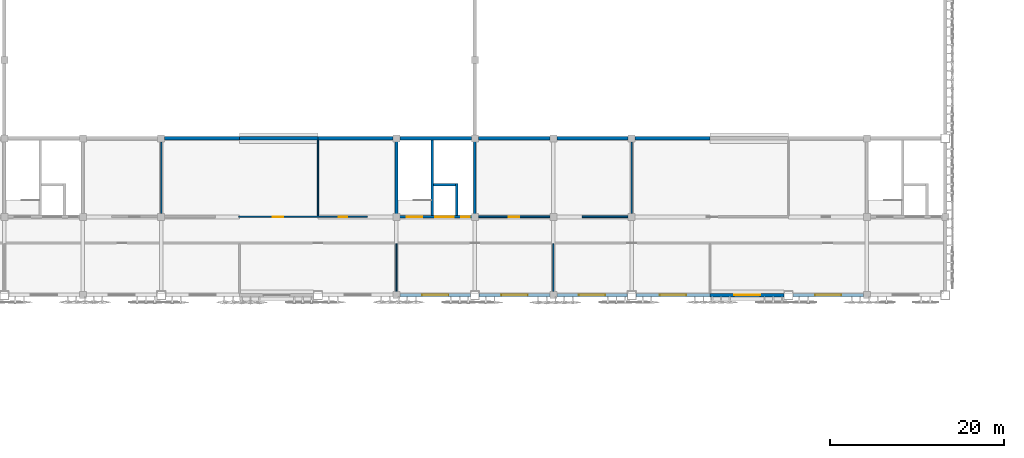
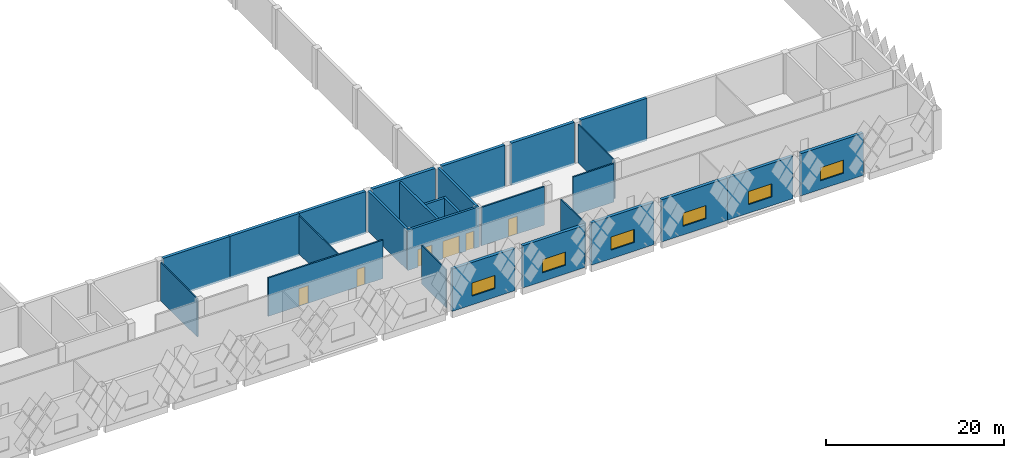
# One storey, part 115 of 185: 27 walls, 6 doors, 6 windows, 12 openings.
"""IFC4 building model written with IfcOpenShell, lengths in metres."""

from ifc_helpers import new_model, si_unit, direction, frame, frame_2d, origin, place, context, subcontext, project, spatial, rectangle, extrude, material, layer, layer_set, type_object, element, fill, save


model = new_model("IFC4")

# Units and contexts
model_context = context("Model", 3, precision=1e-05, world=origin(), true_north=direction((0.0, 1.0)))
body_context = subcontext(model_context, "Body", "Model", "MODEL_VIEW")
ifc_project = project(units=[si_unit("LENGTHUNIT", "METRE"), si_unit("AREAUNIT", "SQUARE_METRE"), si_unit("VOLUMEUNIT", "CUBIC_METRE"), si_unit("PLANEANGLEUNIT", "RADIAN"), si_unit("MASSUNIT", "GRAM", prefix="KILO")], contexts=[model_context])

# Site, building, storey
site_placement = place(None, origin())
site = spatial("IfcSite", under=ifc_project, at=site_placement, CompositionType="ELEMENT")
building_placement = place(site_placement, origin())
building = spatial("IfcBuilding", under=site, at=building_placement, Name="Opaline Strait Convention Centre", CompositionType="ELEMENT")
storey_placement = place(building_placement, frame((0.0, 0.0, 6.0)))
storey = spatial("IfcBuildingStorey", under=building, at=storey_placement, Name="L01", CompositionType="ELEMENT", Elevation=6.0)

# Wall, opening, window
ifc_material_1 = material(Name="Concrete C40", Category="concrete")
ifc_layer_1 = layer(ifc_material_1, 0.25)
ifc_material_2 = material(Name="Mineral wool insulation")
ifc_layer_2 = layer(ifc_material_2, 0.10009765625)
ifc_material_3 = material(Name="Gypsum board lining")
ifc_layer_3 = layer(ifc_material_3, 0.050048828125)
ifc_layer_set_1 = layer_set([ifc_layer_1, ifc_layer_2, ifc_layer_3], Name="Concrete C40, Mineral wool insulation, Gypsum board lining")
wall_type_1 = type_object("IfcWallType", Name="External wall RC 400 insulated", PredefinedType="SOLIDWALL", material=ifc_layer_set_1)
wall_1_placement = place(storey_placement, frame((198.39990234375, 54.0, -0.280029296875), z_axis=(0.0, 0.0, 1.0), x_axis=(1.0, 0.0, 0.0)))
wall_1 = element("IfcWall", 1, at=wall_1_placement, inside=storey, type_object=wall_type_1, Name="External wall S12", PredefinedType="SOLIDWALL", context=body_context, shape_type="SweptSolid", body=[
    extrude(rectangle(XDim=8.10009765625, YDim=0.39990234375, at=frame_2d((4.050048828125, 0.0))), origin(), (0.0, 0.0, 1.0), 5.780029296875),
])
opening_1_placement = place(wall_1_placement, frame((2.550048828125, 0.0, 1.179931640625)))
opening_1 = element("IfcOpeningElement", 2, at=opening_1_placement, cuts=wall_1, Name="Opening XWN2", PredefinedType="OPENING", context=body_context, shape_type="SweptSolid", body=[
    extrude(rectangle(XDim=3.0, YDim=1.800048828125, at=frame_2d((1.5, 0.89990234375))), frame((0.0, 0.2099609375, 0.0), z_axis=(0.0, -1.0, 0.0), x_axis=(1.0, 0.0, 0.0)), (0.0, 0.0, 1.0), 0.419921875),
])
ifc_material_4 = material(Name="Double glazed unit low emissivity", Category="glass")
window_type = type_object("IfcWindowType", Name="Strip window 3000 x 1800", PartitioningType="TRIPLE_PANEL_VERTICAL", PredefinedType="WINDOW", material=ifc_material_4)
window_1_placement = place(opening_1_placement, origin())
window_1 = element("IfcWindow", 3, at=window_1_placement, inside=storey, type_object=window_type, Name="Strip window 12", OverallHeight=1.800048828125, OverallWidth=3.0, PartitioningType="TRIPLE_PANEL_VERTICAL", PredefinedType="WINDOW", context=body_context, shape_type="SweptSolid", body=[
    extrude(rectangle(XDim=3.0, YDim=1.800048828125, at=frame_2d((1.5, 0.89990234375))), frame((0.0, 0.030029296875, 0.0), z_axis=(0.0, -1.0, 0.0), x_axis=(1.0, 0.0, 0.0)), (0.0, 0.0, 1.0), 0.06005859375),
])
fill(opening_1, window_1)

wall_2_placement = place(storey_placement, frame((207.5, 54.0, -0.280029296875), z_axis=(0.0, 0.0, 1.0), x_axis=(1.0, 0.0, 0.0)))
wall_2 = element("IfcWall", 4, at=wall_2_placement, inside=storey, type_object=wall_type_1, Name="External wall S13", PredefinedType="SOLIDWALL", context=body_context, shape_type="SweptSolid", body=[
    extrude(rectangle(XDim=8.10009765625, YDim=0.39990234375, at=frame_2d((4.050048828125, 0.0))), origin(), (0.0, 0.0, 1.0), 5.780029296875),
])
opening_2_placement = place(wall_2_placement, frame((2.550048828125, 0.0, 1.179931640625)))
opening_2 = element("IfcOpeningElement", 5, at=opening_2_placement, cuts=wall_2, Name="Opening XWN2", PredefinedType="OPENING", context=body_context, shape_type="SweptSolid", body=[
    extrude(rectangle(XDim=3.0, YDim=1.800048828125, at=frame_2d((1.5, 0.89990234375))), frame((0.0, 0.2099609375, 0.0), z_axis=(0.0, -1.0, 0.0), x_axis=(1.0, 0.0, 0.0)), (0.0, 0.0, 1.0), 0.419921875),
])
window_2_placement = place(opening_2_placement, origin())
window_2 = element("IfcWindow", 6, at=window_2_placement, inside=storey, type_object=window_type, Name="Strip window 13", OverallHeight=1.800048828125, OverallWidth=3.0, PartitioningType="TRIPLE_PANEL_VERTICAL", PredefinedType="WINDOW", context=body_context, shape_type="SweptSolid", body=[
    extrude(rectangle(XDim=3.0, YDim=1.800048828125, at=frame_2d((1.5, 0.89990234375))), frame((0.0, 0.030029296875, 0.0), z_axis=(0.0, -1.0, 0.0), x_axis=(1.0, 0.0, 0.0)), (0.0, 0.0, 1.0), 0.06005859375),
])
fill(opening_2, window_2)

wall_3_placement = place(storey_placement, frame((216.39990234375, 54.0, -0.280029296875), z_axis=(0.0, 0.0, 1.0), x_axis=(1.0, 0.0, 0.0)))
wall_3 = element("IfcWall", 7, at=wall_3_placement, inside=storey, type_object=wall_type_1, Name="External wall S14", PredefinedType="SOLIDWALL", context=body_context, shape_type="SweptSolid", body=[
    extrude(rectangle(XDim=8.10009765625, YDim=0.39990234375, at=frame_2d((4.050048828125, 0.0))), origin(), (0.0, 0.0, 1.0), 5.780029296875),
])
opening_3_placement = place(wall_3_placement, frame((2.550048828125, 0.0, 1.179931640625)))
opening_3 = element("IfcOpeningElement", 8, at=opening_3_placement, cuts=wall_3, Name="Opening XWN2", PredefinedType="OPENING", context=body_context, shape_type="SweptSolid", body=[
    extrude(rectangle(XDim=3.0, YDim=1.800048828125, at=frame_2d((1.5, 0.89990234375))), frame((0.0, 0.2099609375, 0.0), z_axis=(0.0, -1.0, 0.0), x_axis=(1.0, 0.0, 0.0)), (0.0, 0.0, 1.0), 0.419921875),
])
window_3_placement = place(opening_3_placement, origin())
window_3 = element("IfcWindow", 9, at=window_3_placement, inside=storey, type_object=window_type, Name="Strip window 14", OverallHeight=1.800048828125, OverallWidth=3.0, PartitioningType="TRIPLE_PANEL_VERTICAL", PredefinedType="WINDOW", context=body_context, shape_type="SweptSolid", body=[
    extrude(rectangle(XDim=3.0, YDim=1.800048828125, at=frame_2d((1.5, 0.89990234375))), frame((0.0, 0.030029296875, 0.0), z_axis=(0.0, -1.0, 0.0), x_axis=(1.0, 0.0, 0.0)), (0.0, 0.0, 1.0), 0.06005859375),
])
fill(opening_3, window_3)

wall_4_placement = place(storey_placement, frame((225.5, 54.0, -0.280029296875), z_axis=(0.0, 0.0, 1.0), x_axis=(1.0, 0.0, 0.0)))
wall_4 = element("IfcWall", 10, at=wall_4_placement, inside=storey, type_object=wall_type_1, Name="External wall S15", PredefinedType="SOLIDWALL", context=body_context, shape_type="SweptSolid", body=[
    extrude(rectangle(XDim=8.5, YDim=0.39990234375, at=frame_2d((4.25, 0.0))), origin(), (0.0, 0.0, 1.0), 5.780029296875),
])
opening_4_placement = place(wall_4_placement, frame((2.75, 0.0, 1.179931640625)))
opening_4 = element("IfcOpeningElement", 11, at=opening_4_placement, cuts=wall_4, Name="Opening XWN2", PredefinedType="OPENING", context=body_context, shape_type="SweptSolid", body=[
    extrude(rectangle(XDim=3.0, YDim=1.800048828125, at=frame_2d((1.5, 0.89990234375))), frame((0.0, 0.2099609375, 0.0), z_axis=(0.0, -1.0, 0.0), x_axis=(1.0, 0.0, 0.0)), (0.0, 0.0, 1.0), 0.419921875),
])
window_4_placement = place(opening_4_placement, origin())
window_4 = element("IfcWindow", 12, at=window_4_placement, inside=storey, type_object=window_type, Name="Strip window 15", OverallHeight=1.800048828125, OverallWidth=3.0, PartitioningType="TRIPLE_PANEL_VERTICAL", PredefinedType="WINDOW", context=body_context, shape_type="SweptSolid", body=[
    extrude(rectangle(XDim=3.0, YDim=1.800048828125, at=frame_2d((1.5, 0.89990234375))), frame((0.0, 0.030029296875, 0.0), z_axis=(0.0, -1.0, 0.0), x_axis=(1.0, 0.0, 0.0)), (0.0, 0.0, 1.0), 0.06005859375),
])
fill(opening_4, window_4)

wall_5_placement = place(storey_placement, frame((234.0, 54.0, -0.280029296875), z_axis=(0.0, 0.0, 1.0), x_axis=(1.0, 0.0, 0.0)))
wall_5 = element("IfcWall", 13, at=wall_5_placement, inside=storey, type_object=wall_type_1, Name="External wall S16", PredefinedType="SOLIDWALL", context=body_context, shape_type="SweptSolid", body=[
    extrude(rectangle(XDim=8.5, YDim=0.39990234375, at=frame_2d((4.25, 0.0))), origin(), (0.0, 0.0, 1.0), 5.780029296875),
])
opening_5_placement = place(wall_5_placement, frame((2.75, 0.0, 1.179931640625)))
opening_5 = element("IfcOpeningElement", 14, at=opening_5_placement, cuts=wall_5, Name="Opening XWN2", PredefinedType="OPENING", context=body_context, shape_type="SweptSolid", body=[
    extrude(rectangle(XDim=3.0, YDim=1.800048828125, at=frame_2d((1.5, 0.89990234375))), frame((0.0, 0.2099609375, 0.0), z_axis=(0.0, -1.0, 0.0), x_axis=(1.0, 0.0, 0.0)), (0.0, 0.0, 1.0), 0.419921875),
])
window_5_placement = place(opening_5_placement, origin())
window_5 = element("IfcWindow", 15, at=window_5_placement, inside=storey, type_object=window_type, Name="Strip window 16", OverallHeight=1.800048828125, OverallWidth=3.0, PartitioningType="TRIPLE_PANEL_VERTICAL", PredefinedType="WINDOW", context=body_context, shape_type="SweptSolid", body=[
    extrude(rectangle(XDim=3.0, YDim=1.800048828125, at=frame_2d((1.5, 0.89990234375))), frame((0.0, 0.030029296875, 0.0), z_axis=(0.0, -1.0, 0.0), x_axis=(1.0, 0.0, 0.0)), (0.0, 0.0, 1.0), 0.06005859375),
])
fill(opening_5, window_5)

wall_6_placement = place(storey_placement, frame((243.5, 54.0, -0.280029296875), z_axis=(0.0, 0.0, 1.0), x_axis=(1.0, 0.0, 0.0)))
wall_6 = element("IfcWall", 16, at=wall_6_placement, inside=storey, type_object=wall_type_1, Name="External wall S17", PredefinedType="SOLIDWALL", context=body_context, shape_type="SweptSolid", body=[
    extrude(rectangle(XDim=8.10009765625, YDim=0.39990234375, at=frame_2d((4.050048828125, 0.0))), origin(), (0.0, 0.0, 1.0), 5.780029296875),
])
opening_6_placement = place(wall_6_placement, frame((2.550048828125, 0.0, 1.179931640625)))
opening_6 = element("IfcOpeningElement", 17, at=opening_6_placement, cuts=wall_6, Name="Opening XWN2", PredefinedType="OPENING", context=body_context, shape_type="SweptSolid", body=[
    extrude(rectangle(XDim=3.0, YDim=1.800048828125, at=frame_2d((1.5, 0.89990234375))), frame((0.0, 0.2099609375, 0.0), z_axis=(0.0, -1.0, 0.0), x_axis=(1.0, 0.0, 0.0)), (0.0, 0.0, 1.0), 0.419921875),
])
window_6_placement = place(opening_6_placement, origin())
window_6 = element("IfcWindow", 18, at=window_6_placement, inside=storey, type_object=window_type, Name="Strip window 17", OverallHeight=1.800048828125, OverallWidth=3.0, PartitioningType="TRIPLE_PANEL_VERTICAL", PredefinedType="WINDOW", context=body_context, shape_type="SweptSolid", body=[
    extrude(rectangle(XDim=3.0, YDim=1.800048828125, at=frame_2d((1.5, 0.89990234375))), frame((0.0, 0.030029296875, 0.0), z_axis=(0.0, -1.0, 0.0), x_axis=(1.0, 0.0, 0.0)), (0.0, 0.0, 1.0), 0.06005859375),
])
fill(opening_6, window_6)

# Walls
ifc_layer_4 = layer(ifc_material_1, 0.300048828125)
ifc_material_5 = material(Name="Cement plaster")
ifc_layer_5 = layer(ifc_material_5, 0.050048828125)
ifc_layer_6 = layer(ifc_material_5, 0.050048828125)
ifc_layer_set_2 = layer_set([ifc_layer_4, ifc_layer_5, ifc_layer_6], Name="Concrete C40, Cement plaster, Cement plaster")
wall_type_2 = type_object("IfcWallType", Name="Hall compartment wall 400", PredefinedType="SOLIDWALL", material=ifc_layer_set_2)
wall_7_placement = place(storey_placement, frame((171.39990234375, 72.0, -0.280029296875), z_axis=(0.0, 0.0, 1.0), x_axis=(1.0, 0.0, 0.0)))
element("IfcWall", 19, at=wall_7_placement, inside=storey, type_object=wall_type_2, Name="Hall south wall", PredefinedType="SOLIDWALL", context=body_context, shape_type="SweptSolid", body=[
    extrude(rectangle(XDim=8.60009765625, YDim=0.39990234375, at=frame_2d((4.300048828125, 0.0))), origin(), (0.0, 0.0, 1.0), 5.780029296875),
])
wall_8_placement = place(storey_placement, frame((180.0, 72.0, -0.280029296875), z_axis=(0.0, 0.0, 1.0), x_axis=(1.0, 0.0, 0.0)))
element("IfcWall", 20, at=wall_8_placement, inside=storey, type_object=wall_type_2, Name="Hall south wall", PredefinedType="SOLIDWALL", context=body_context, shape_type="SweptSolid", body=[
    extrude(rectangle(XDim=9.0, YDim=0.39990234375, at=frame_2d((4.5, 0.0))), origin(), (0.0, 0.0, 1.0), 5.780029296875),
])
wall_9_placement = place(storey_placement, frame((189.0, 72.0, -0.280029296875), z_axis=(0.0, 0.0, 1.0), x_axis=(1.0, 0.0, 0.0)))
element("IfcWall", 21, at=wall_9_placement, inside=storey, type_object=wall_type_2, Name="Hall south wall", PredefinedType="SOLIDWALL", context=body_context, shape_type="SweptSolid", body=[
    extrude(rectangle(XDim=8.60009765625, YDim=0.39990234375, at=frame_2d((4.300048828125, 0.0))), origin(), (0.0, 0.0, 1.0), 5.780029296875),
])
for number, where, z_axis, x_axis, name in (
    (22, (198.39990234375, 72.0, -0.280029296875), (0.0, 0.0, 1.0), (1.0, 0.0, 0.0), "Hall south wall"),
    (23, (207.39990234375, 72.0, -0.280029296875), (0.0, 0.0, 1.0), (1.0, 0.0, 0.0), "Hall south wall"),
    (24, (216.39990234375, 72.0, -0.280029296875), (0.0, 0.0, 1.0), (1.0, 0.0, 0.0), "Hall south wall"),
):
    element("IfcWall", number, at=place(storey_placement, frame(where, z_axis=z_axis, x_axis=x_axis)), inside=storey, type_object=wall_type_2, Name=name, PredefinedType="SOLIDWALL", context=body_context, shape_type="SweptSolid", body=[
        extrude(rectangle(XDim=8.2001953125, YDim=0.39990234375, at=frame_2d((4.10009765625, 0.0))), origin(), (0.0, 0.0, 1.0), 5.780029296875),
    ])
wall_10_placement = place(storey_placement, frame((225.39990234375, 72.0, -0.280029296875), z_axis=(0.0, 0.0, 1.0), x_axis=(1.0, 0.0, 0.0)))
element("IfcWall", 25, at=wall_10_placement, inside=storey, type_object=wall_type_2, Name="Hall south wall", PredefinedType="SOLIDWALL", context=body_context, shape_type="SweptSolid", body=[
    extrude(rectangle(XDim=8.60009765625, YDim=0.39990234375, at=frame_2d((4.300048828125, 0.0))), origin(), (0.0, 0.0, 1.0), 5.780029296875),
])
ifc_layer_7 = layer(ifc_material_1, 0.300048828125)
ifc_layer_set_3 = layer_set([ifc_layer_7], Name="Concrete C40")
wall_type_3 = type_object("IfcWallType", Name="Lift shaft wall RC 300 C40", PredefinedType="SHEAR", material=ifc_layer_set_3)
wall_11_placement = place(storey_placement, frame((202.10009765625, 63.14990234375, 0.0), z_axis=(0.0, 0.0, 1.0), x_axis=(0.0, 1.0, 0.0)))
element("IfcWall", 26, at=wall_11_placement, inside=storey, type_object=wall_type_3, Name="EXB-LS-3-W1-L01", PredefinedType="SHEAR", context=body_context, shape_type="SweptSolid", body=[
    extrude(rectangle(XDim=8.650146484375, YDim=0.300048828125, at=frame_2d((4.3251953125, 0.0))), origin(), (0.0, 0.0, 1.0), 5.25),
])
wall_12_placement = place(storey_placement, frame((204.89990234375, 63.14990234375, 0.0), z_axis=(0.0, 0.0, 1.0), x_axis=(0.0, 1.0, 0.0)))
element("IfcWall", 27, at=wall_12_placement, inside=storey, type_object=wall_type_3, Name="EXB-LS-3-W2-L01", PredefinedType="SHEAR", context=body_context, shape_type="SweptSolid", body=[
    extrude(rectangle(XDim=3.7001953125, YDim=0.300048828125, at=frame_2d((1.85009765625, 0.0))), origin(), (0.0, 0.0, 1.0), 5.25),
])
wall_13_placement = place(storey_placement, frame((202.25, 66.699951171875, 0.0), z_axis=(0.0, 0.0, 1.0), x_axis=(1.0, 0.0, 0.0)))
element("IfcWall", 28, at=wall_13_placement, inside=storey, type_object=wall_type_3, Name="EXB-LS-3-N-L01", PredefinedType="SHEAR", context=body_context, shape_type="SweptSolid", body=[
    extrude(rectangle(XDim=2.5, YDim=0.300048828125, at=frame_2d((1.25, 0.0))), origin(), (0.0, 0.0, 1.0), 5.25),
])
ifc_material_6 = material(Name="Lightweight blockwork", Category="masonry")
ifc_layer_8 = layer(ifc_material_6, 0.14990234375)
ifc_layer_set_4 = layer_set([ifc_layer_8], Name="Lightweight blockwork")
wall_type_4 = type_object("IfcWallType", Name="Partition EI 45 blockwork 150", PredefinedType="PARTITIONING", material=ifc_layer_set_4)
for number, where, z_axis, x_axis, name in (
    (29, (198.0, 54.39990234375, 0.0), (0.0, 0.0, 1.0), (0.0, 1.0, 0.0), "Mezzanine room partition"),
    (30, (216.0, 54.39990234375, 0.0), (0.0, 0.0, 1.0), (0.0, 1.0, 0.0), "Mezzanine room partition"),
):
    element("IfcWall", number, at=place(storey_placement, frame(where, z_axis=z_axis, x_axis=x_axis)), inside=storey, type_object=wall_type_4, Name=name, PredefinedType="PARTITIONING", context=body_context, shape_type="SweptSolid", body=[
        extrude(rectangle(XDim=5.5, YDim=0.14990234375, at=frame_2d((2.75, 0.0))), origin(), (0.0, 0.0, 1.0), 5.25),
    ])
wall_14_placement = place(storey_placement, frame((171.0, 63.39990234375, 0.0), z_axis=(0.0, 0.0, 1.0), x_axis=(0.0, 1.0, 0.0)))
element("IfcWall", 31, at=wall_14_placement, inside=storey, type_object=wall_type_4, Name="Mezzanine back row partition", PredefinedType="PARTITIONING", context=body_context, shape_type="SweptSolid", body=[
    extrude(rectangle(XDim=8.2001953125, YDim=0.14990234375, at=frame_2d((4.10009765625, 0.0))), origin(), (0.0, 0.0, 1.0), 5.25),
])
wall_15_placement = place(storey_placement, frame((189.0, 63.10009765625, 0.0), z_axis=(0.0, 0.0, 1.0), x_axis=(0.0, 1.0, 0.0)))
element("IfcWall", 32, at=wall_15_placement, inside=storey, type_object=wall_type_4, Name="Mezzanine back row partition", PredefinedType="PARTITIONING", context=body_context, shape_type="SweptSolid", body=[
    extrude(rectangle(XDim=8.699951171875, YDim=0.14990234375, at=frame_2d((4.35009765625, 0.0))), origin(), (0.0, 0.0, 1.0), 5.25),
])
wall_16_placement = place(storey_placement, frame((225.0, 63.39990234375, 0.0), z_axis=(0.0, 0.0, 1.0), x_axis=(0.0, 1.0, 0.0)))
element("IfcWall", 33, at=wall_16_placement, inside=storey, type_object=wall_type_4, Name="Mezzanine back row partition", PredefinedType="PARTITIONING", context=body_context, shape_type="SweptSolid", body=[
    extrude(rectangle(XDim=8.2001953125, YDim=0.14990234375, at=frame_2d((4.10009765625, 0.0))), origin(), (0.0, 0.0, 1.0), 5.25),
])

# Wall, openings, doors
ifc_layer_9 = layer(ifc_material_6, 0.199951171875)
ifc_layer_set_5 = layer_set([ifc_layer_9], Name="Lightweight blockwork")
wall_type_5 = type_object("IfcWallType", Name="Partition EI 60 blockwork 200", PredefinedType="PARTITIONING", material=ifc_layer_set_5)
wall_17_placement = place(storey_placement, frame((179.85009765625, 63.0, 0.0), z_axis=(0.0, 0.0, 1.0), x_axis=(1.0, 0.0, 0.0)))
wall_17 = element("IfcWall", 34, at=wall_17_placement, inside=storey, type_object=wall_type_5, Name="Mezzanine corridor north wall", PredefinedType="PARTITIONING", context=body_context, shape_type="SweptSolid", body=[
    extrude(rectangle(XDim=14.849853515625, YDim=0.199951171875, at=frame_2d((7.4248046875, 0.0))), origin(), (0.0, 0.0, 1.0), 5.25),
])
opening_7_placement = place(wall_17_placement, frame((3.97509765625, 0.0, 0.014892578125)))
opening_7 = element("IfcOpeningElement", 35, at=opening_7_placement, cuts=wall_17, Name="Opening X1-024", PredefinedType="OPENING", context=body_context, shape_type="SweptSolid", body=[
    extrude(rectangle(XDim=1.199951171875, YDim=2.39990234375, at=frame_2d((0.60009765625, 1.199951171875))), frame((0.0, 0.10986328125, 0.0), z_axis=(0.0, -1.0, 0.0), x_axis=(1.0, 0.0, 0.0)), (0.0, 0.0, 1.0), 0.219970703125),
])
opening_8_placement = place(wall_17_placement, frame((11.5, 0.0, 0.014892578125)))
opening_8 = element("IfcOpeningElement", 36, at=opening_8_placement, cuts=wall_17, Name="Opening X1-025", PredefinedType="OPENING", context=body_context, shape_type="SweptSolid", body=[
    extrude(rectangle(XDim=1.0, YDim=2.39990234375, at=frame_2d((0.5, 1.199951171875))), frame((0.0, 0.10986328125, 0.0), z_axis=(0.0, -1.0, 0.0), x_axis=(1.0, 0.0, 0.0)), (0.0, 0.0, 1.0), 0.219970703125),
])
ifc_material_7 = material(Name="Steel Q235B", Category="steel")
door_type_1 = type_object("IfcDoorType", Name="Plant door FD60 1200 x 2400", OperationType="SINGLE_SWING_LEFT", PredefinedType="DOOR", material=ifc_material_7)
door_1_placement = place(opening_7_placement, origin())
door_1 = element("IfcDoor", 37, at=door_1_placement, inside=storey, type_object=door_type_1, Name="Hall Air-handling Plant 1.16 door", ObjectType="XD9", OperationType="SINGLE_SWING_LEFT", OverallHeight=2.39990234375, OverallWidth=1.199951171875, PredefinedType="DOOR", context=body_context, shape_type="SweptSolid", body=[
    extrude(rectangle(XDim=1.199951171875, YDim=2.39990234375, at=frame_2d((0.60009765625, 1.199951171875))), frame((0.0, 0.02490234375, 0.0), z_axis=(0.0, -1.0, 0.0), x_axis=(1.0, 0.0, 0.0)), (0.0, 0.0, 1.0), 0.050048828125),
])
fill(opening_7, door_1)
door_type_2 = type_object("IfcDoorType", Name="Single door FD30 1000 x 2400", OperationType="SINGLE_SWING_LEFT", PredefinedType="DOOR", material=ifc_material_7)
door_2_placement = place(opening_8_placement, origin())
door_2 = element("IfcDoor", 38, at=door_2_placement, inside=storey, type_object=door_type_2, Name="Store 1.17 door", ObjectType="XD8", OperationType="SINGLE_SWING_RIGHT", OverallHeight=2.39990234375, OverallWidth=1.0, PredefinedType="DOOR", context=body_context, shape_type="SweptSolid", body=[
    extrude(rectangle(XDim=1.0, YDim=2.39990234375, at=frame_2d((0.5, 1.199951171875))), frame((0.0, 0.02490234375, 0.0), z_axis=(0.0, -1.0, 0.0), x_axis=(1.0, 0.0, 0.0)), (0.0, 0.0, 1.0), 0.050048828125),
])
fill(opening_8, door_2)

# Wall, opening, door
wall_18_placement = place(storey_placement, frame((207.39990234375, 63.0, 0.0), z_axis=(0.0, 0.0, 1.0), x_axis=(1.0, 0.0, 0.0)))
wall_18 = element("IfcWall", 39, at=wall_18_placement, inside=storey, type_object=wall_type_5, Name="Mezzanine corridor north wall", PredefinedType="PARTITIONING", context=body_context, shape_type="SweptSolid", body=[
    extrude(rectangle(XDim=8.2001953125, YDim=0.199951171875, at=frame_2d((4.10009765625, 0.0))), origin(), (0.0, 0.0, 1.0), 5.25),
])
opening_9_placement = place(wall_18_placement, frame((3.5, 0.0, 0.014892578125)))
opening_9 = element("IfcOpeningElement", 40, at=opening_9_placement, cuts=wall_18, Name="Opening X1-026", PredefinedType="OPENING", context=body_context, shape_type="SweptSolid", body=[
    extrude(rectangle(XDim=1.199951171875, YDim=2.39990234375, at=frame_2d((0.60009765625, 1.199951171875))), frame((0.0, 0.10986328125, 0.0), z_axis=(0.0, -1.0, 0.0), x_axis=(1.0, 0.0, 0.0)), (0.0, 0.0, 1.0), 0.219970703125),
])
door_3_placement = place(opening_9_placement, origin())
door_3 = element("IfcDoor", 41, at=door_3_placement, inside=storey, type_object=door_type_1, Name="Hall Electrical Plant 1.18 door", ObjectType="XD9", OperationType="SINGLE_SWING_RIGHT", OverallHeight=2.39990234375, OverallWidth=1.199951171875, PredefinedType="DOOR", context=body_context, shape_type="SweptSolid", body=[
    extrude(rectangle(XDim=1.199951171875, YDim=2.39990234375, at=frame_2d((0.60009765625, 1.199951171875))), frame((0.0, 0.02490234375, 0.0), z_axis=(0.0, -1.0, 0.0), x_axis=(1.0, 0.0, 0.0)), (0.0, 0.0, 1.0), 0.050048828125),
])
fill(opening_9, door_3)

# Wall
wall_19_placement = place(storey_placement, frame((219.300048828125, 63.0, 0.0), z_axis=(0.0, 0.0, 1.0), x_axis=(1.0, 0.0, 0.0)))
element("IfcWall", 42, at=wall_19_placement, inside=storey, type_object=wall_type_5, Name="Mezzanine corridor north wall", PredefinedType="PARTITIONING", context=body_context, shape_type="SweptSolid", body=[
    extrude(rectangle(XDim=5.300048828125, YDim=0.199951171875, at=frame_2d((2.64990234375, 0.0))), origin(), (0.0, 0.0, 1.0), 5.25),
])

# Wall, openings, doors
ifc_layer_10 = layer(ifc_material_1, 0.300048828125)
ifc_layer_set_6 = layer_set([ifc_layer_10], Name="Concrete C40")
wall_type_6 = type_object("IfcWallType", Name="RC core wall 300 C40", PredefinedType="SHEAR", material=ifc_layer_set_6)
wall_20_placement = place(storey_placement, frame((197.85009765625, 63.0, 0.0), z_axis=(0.0, 0.0, 1.0), x_axis=(1.0, 0.0, 0.0)))
wall_20 = element("IfcWall", 43, at=wall_20_placement, inside=storey, type_object=wall_type_6, Name="Core 3 wall S", PredefinedType="SHEAR", context=body_context, shape_type="SweptSolid", body=[
    extrude(rectangle(XDim=9.2998046875, YDim=0.300048828125, at=frame_2d((4.64990234375, 0.0))), origin(), (0.0, 0.0, 1.0), 5.5),
])
opening_10_placement = place(wall_20_placement, frame((1.324951171875, 0.0, 0.0)))
opening_10 = element("IfcOpeningElement", 44, at=opening_10_placement, cuts=wall_20, Name="Opening X1-005", PredefinedType="OPENING", context=body_context, shape_type="SweptSolid", body=[
    extrude(rectangle(XDim=1.800048828125, YDim=2.39990234375, at=frame_2d((0.89990234375, 1.199951171875))), frame((0.0, 0.159912109375, 0.0), z_axis=(0.0, -1.0, 0.0), x_axis=(1.0, 0.0, 0.0)), (0.0, 0.0, 1.0), 0.320068359375),
])
opening_11_placement = place(wall_20_placement, frame((4.60009765625, 0.0, 0.0)))
opening_11 = element("IfcOpeningElement", 45, at=opening_11_placement, cuts=wall_20, Name="Opening XLD3-1", PredefinedType="OPENING", context=body_context, shape_type="SweptSolid", body=[
    extrude(rectangle(XDim=2.10009765625, YDim=2.39990234375, at=frame_2d((1.050048828125, 1.199951171875))), frame((0.0, 0.159912109375, 0.0), z_axis=(0.0, -1.0, 0.0), x_axis=(1.0, 0.0, 0.0)), (0.0, 0.0, 1.0), 0.320068359375),
])
opening_12_placement = place(wall_20_placement, frame((7.574951171875, 0.0, 0.0)))
opening_12 = element("IfcOpeningElement", 46, at=opening_12_placement, cuts=wall_20, Name="Opening X1-006", PredefinedType="OPENING", context=body_context, shape_type="SweptSolid", body=[
    extrude(rectangle(XDim=1.0, YDim=2.39990234375, at=frame_2d((0.5, 1.199951171875))), frame((0.0, 0.159912109375, 0.0), z_axis=(0.0, -1.0, 0.0), x_axis=(1.0, 0.0, 0.0)), (0.0, 0.0, 1.0), 0.320068359375),
])
ifc_material_8 = material(Name="Stainless steel 304", Category="steel")
door_type_3 = type_object("IfcDoorType", Name="Lift landing door 2100 x 2400", OperationType="DOUBLE_DOOR_SLIDING", PredefinedType="DOOR", material=ifc_material_8)
door_4_placement = place(opening_11_placement, origin())
door_4 = element("IfcDoor", 47, at=door_4_placement, inside=storey, type_object=door_type_3, Name="Goods lift 3 landing door L01", ObjectType="XLD", OperationType="DOUBLE_DOOR_SLIDING", OverallHeight=2.39990234375, OverallWidth=2.10009765625, PredefinedType="DOOR", context=body_context, shape_type="SweptSolid", body=[
    extrude(rectangle(XDim=2.10009765625, YDim=2.39990234375, at=frame_2d((1.050048828125, 1.199951171875))), frame((0.0, 0.02490234375, 0.0), z_axis=(0.0, -1.0, 0.0), x_axis=(1.0, 0.0, 0.0)), (0.0, 0.0, 1.0), 0.050048828125),
])
fill(opening_11, door_4)
door_5_placement = place(opening_12_placement, origin())
door_5 = element("IfcDoor", 48, at=door_5_placement, inside=storey, type_object=door_type_2, Name="Services riser 3 door L01", ObjectType="XD8", OperationType="SINGLE_SWING_RIGHT", OverallHeight=2.39990234375, OverallWidth=1.0, PredefinedType="DOOR", context=body_context, shape_type="SweptSolid", body=[
    extrude(rectangle(XDim=1.0, YDim=2.39990234375, at=frame_2d((0.5, 1.199951171875))), frame((0.0, 0.02490234375, 0.0), z_axis=(0.0, -1.0, 0.0), x_axis=(1.0, 0.0, 0.0)), (0.0, 0.0, 1.0), 0.050048828125),
])
fill(opening_12, door_5)
door_type_4 = type_object("IfcDoorType", Name="Stair door pair FD60 1800 x 2400", OperationType="DOUBLE_DOOR_SINGLE_SWING", PredefinedType="DOOR", material=ifc_material_7)
door_6_placement = place(opening_10_placement, frame((1.800048828125, 0.0, 0.0), z_axis=(0.0, 0.0, 1.0), x_axis=(-1.0, 0.0, 0.0)))
door_6 = element("IfcDoor", 49, at=door_6_placement, inside=storey, type_object=door_type_4, Name="Stair 3 door L01", ObjectType="XD7", OperationType="DOUBLE_DOOR_SINGLE_SWING", OverallHeight=2.39990234375, OverallWidth=1.800048828125, PredefinedType="DOOR", context=body_context, shape_type="SweptSolid", body=[
    extrude(rectangle(XDim=1.800048828125, YDim=2.39990234375, at=frame_2d((0.89990234375, 1.199951171875))), frame((0.0, 0.02490234375, 0.0), z_axis=(0.0, -1.0, 0.0), x_axis=(1.0, 0.0, 0.0)), (0.0, 0.0, 1.0), 0.050048828125),
])
fill(opening_10, door_6)

# Walls
for number, where, z_axis, x_axis, name in (
    (50, (198.0, 63.14990234375, 0.0), (0.0, 0.0, 1.0), (0.0, 1.0, 0.0), "Core 3 wall W"),
    (51, (207.0, 63.14990234375, 0.0), (0.0, 0.0, 1.0), (0.0, 1.0, 0.0), "Core 3 wall E"),
):
    element("IfcWall", number, at=place(storey_placement, frame(where, z_axis=z_axis, x_axis=x_axis)), inside=storey, type_object=wall_type_6, Name=name, PredefinedType="SHEAR", context=body_context, shape_type="SweptSolid", body=[
        extrude(rectangle(XDim=8.650146484375, YDim=0.300048828125, at=frame_2d((4.3251953125, 0.0))), origin(), (0.0, 0.0, 1.0), 5.5),
    ])

save(model, "model.ifc")
